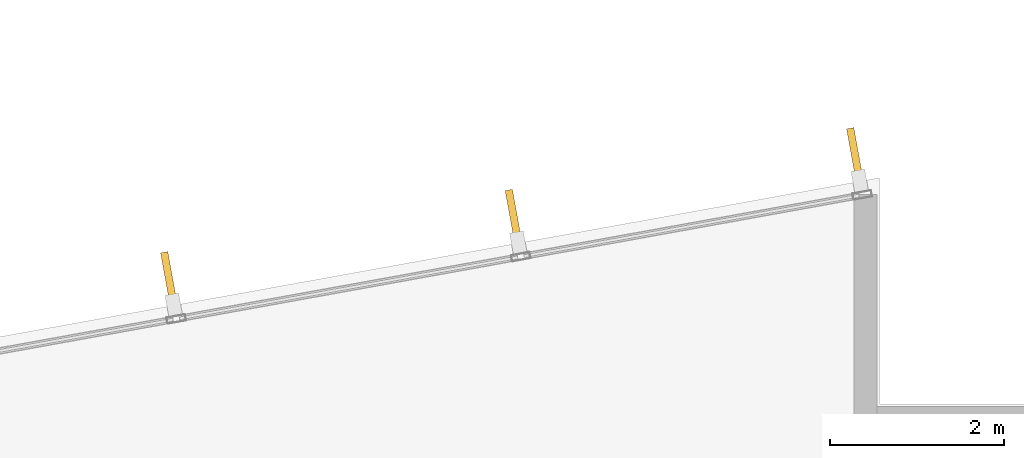
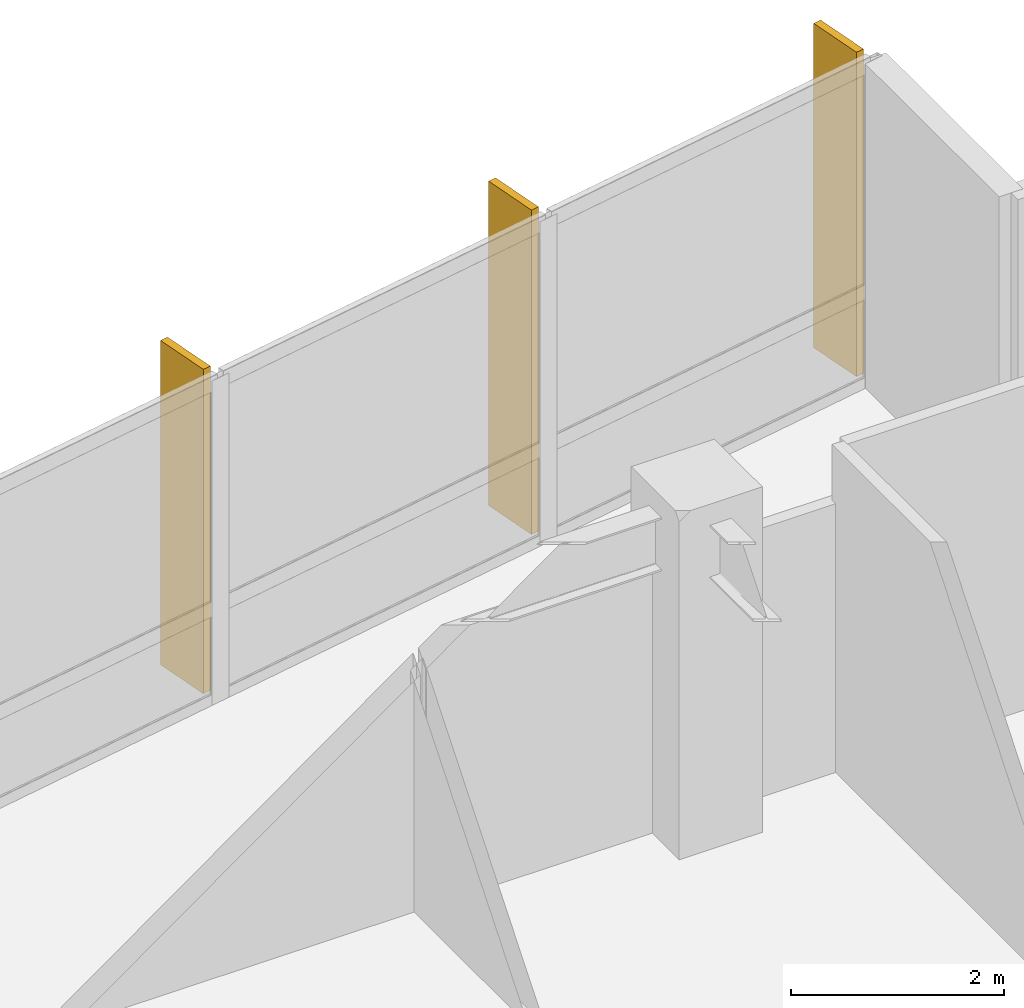
# One storey, part 20 of 20: 3 shading devices.
"""IFC4 building model written with IfcOpenShell, lengths in metres."""

from ifc_helpers import new_model, si_unit, direction, frame, origin, origin_2d, place, context, subcontext, project, spatial, rectangle, extrude, material, layer, layer_set, type_object, element, save


model = new_model("IFC4")

# Units and contexts
model_context = context("Model", 3, precision=1e-05, world=origin(), true_north=direction((0.0, 1.0)))
body_context = subcontext(model_context, "Body", "Model", "MODEL_VIEW")
ifc_project = project(units=[si_unit("LENGTHUNIT", "METRE"), si_unit("AREAUNIT", "SQUARE_METRE"), si_unit("VOLUMEUNIT", "CUBIC_METRE"), si_unit("PLANEANGLEUNIT", "RADIAN"), si_unit("MASSUNIT", "GRAM", prefix="KILO")], contexts=[model_context])

# Site, building, storey
site_placement = place(None, origin())
site = spatial("IfcSite", under=ifc_project, at=site_placement, CompositionType="ELEMENT")
building_placement = place(site_placement, origin())
building = spatial("IfcBuilding", under=site, at=building_placement, Name="Varnakote Quay Hospital", CompositionType="ELEMENT")
storey_placement = place(building_placement, frame((0.0, 0.0, 58.050048828125)))
storey = spatial("IfcBuildingStorey", under=building, at=storey_placement, Name="L14", CompositionType="ELEMENT", Elevation=58.050048828125)

# Shading devices
ifc_material = material(Name="Anodised aluminium 6063-T6 Bronze", Category="aluminium")
ifc_layer = layer(ifc_material, 0.0849609375)
ifc_layer_set = layer_set([ifc_layer], Name="Anodised aluminium 6063-T6 Bronze")
shading_device_type = type_object("IfcShadingDeviceType", Name="SHD-BRONZE-FIN-620", PredefinedType="USERDEFINED", material=ifc_layer_set)
for number, where, z_axis, x_axis, name in (
    (1, (55.319580078125, 34.664306640625, 0.0), (0.0, 0.0, 1.0), (0.177771795263, -0.984071739666, 0.0), "L14 Anodised Bronze Vertical Shading FIN"),
    (2, (51.393798828125, 33.954833984375, 0.0), (0.0, 0.0, 1.0), (0.177771795263, -0.984071739666, 0.0), "L14 Anodised Bronze Vertical Shading FIN"),
    (3, (47.43115234375, 33.23876953125, 0.0), (0.0, 0.0, 1.0), (0.177771795263, -0.984071739666, 0.0), "L14 Anodised Bronze Vertical Shading FIN"),
):
    element("IfcShadingDevice", number, at=place(storey_placement, frame(where, z_axis=z_axis, x_axis=x_axis)), inside=storey, type_object=shading_device_type, Name=name, ObjectType="FIN", PredefinedType="USERDEFINED", context=body_context, shape_type="SweptSolid", body=[
        extrude(rectangle(XDim=0.6201171875, YDim=0.0849609375, at=origin_2d()), origin(), (0.0, 0.0, 1.0), 3.7099609375),
    ])

save(model, "model.ifc")
